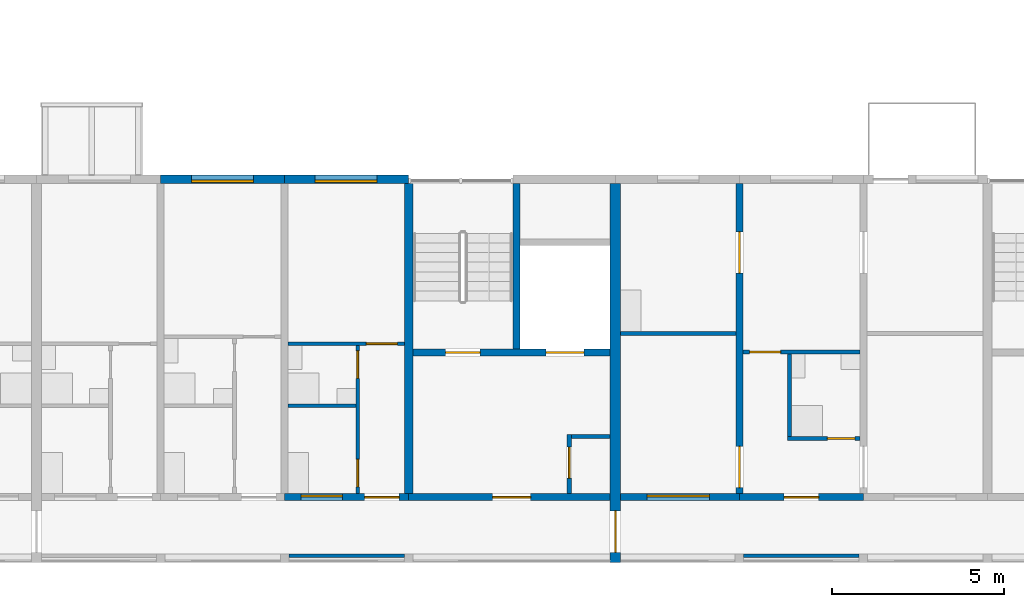
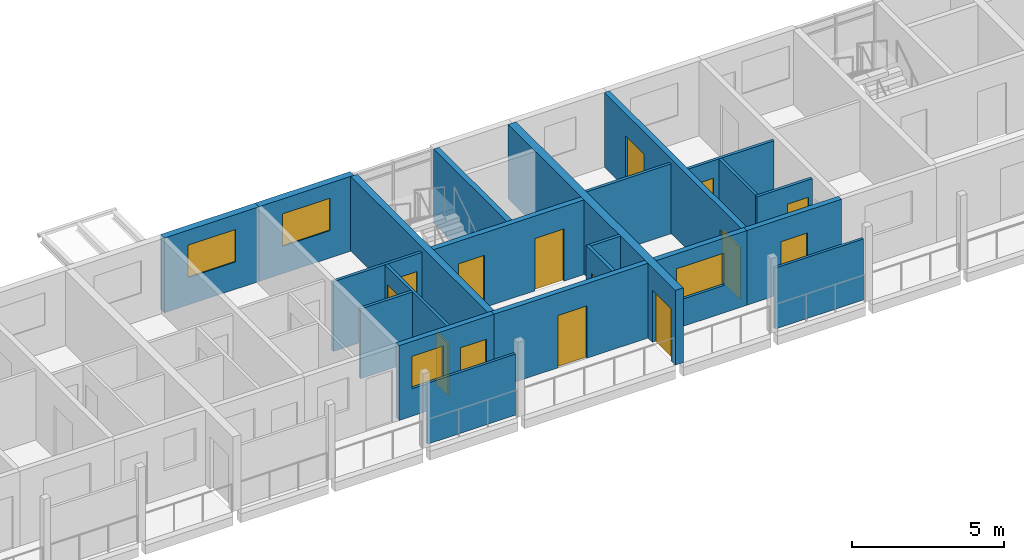
# One storey, part 48 of 94: 22 walls, 14 doors, 4 windows, 18 openings.
"""IFC4 building model written with IfcOpenShell, lengths in metres."""

import ifcopenshell
import ifcopenshell.guid

model = None  # the IFC model being written
_history = None  # IfcOwnerHistory: only IFC2X3 demands one
_inside = {}  # id of a spatial element -> (the spatial element, [elements in it])
_under = {}  # id of a project, library or spatial element -> (it, [spatial elements below it])
_declared = {}  # id of a project -> (the project, [libraries it declares])
_typed = {}  # id of a type object -> (the type object, [elements of that type])
_made_of = {}  # id of a material, layer set ... -> (it, [elements and type objects made of it])


def new_model(schema):
    """Start an empty IFC model of exactly this schema.

    Asked for "IFC4X3", IfcOpenShell would pick the latest addendum, in which some entities
    have other attributes; the version numbers below select the first issue.
    IFC2X3 requires an IfcOwnerHistory on every rooted entity: one is made here for all.
    """
    global model, _history
    if schema == "IFC4X3":
        model = ifcopenshell.file(schema_version=(4, 3, 0, 0))
    else:
        model = ifcopenshell.file(schema=schema)
    _inside.clear()
    _under.clear()
    _declared.clear()
    _typed.clear()
    _made_of.clear()
    _history = None
    if model.schema == "IFC2X3":
        org = make("IfcOrganization", Name="unknown")
        user = make(
            "IfcPersonAndOrganization",
            ThePerson=make("IfcPerson", FamilyName="unknown"),
            TheOrganization=org,
        )
        app = make(
            "IfcApplication",
            ApplicationDeveloper=org,
            Version="unknown",
            ApplicationFullName="unknown",
            ApplicationIdentifier="unknown",
        )
        _history = make(
            "IfcOwnerHistory",
            OwningUser=user,
            OwningApplication=app,
            ChangeAction="ADDED",
            CreationDate=0,
        )
    return model


def make(cls, **values):
    """One entity of the class cls with the attributes given. An attribute that is None is left unset."""
    return model.create_entity(
        cls, **{name: value for name, value in values.items() if value is not None}
    )


def rooted(cls, **values):
    """An entity with a GlobalId (a new one), such as an element, a storey or a relation."""
    return make(cls, GlobalId=ifcopenshell.guid.new(), OwnerHistory=_history, **values)


def si_unit(unit_type, name, prefix=None):
    """IfcSIUnit, for example si_unit("LENGTHUNIT", "METRE", prefix="MILLI")."""
    return make("IfcSIUnit", UnitType=unit_type, Prefix=prefix, Name=name)


def assignment(units):
    """IfcUnitAssignment: the units of a project."""
    return None if units is None else make("IfcUnitAssignment", Units=units)


def point(xyz):
    """IfcCartesianPoint."""
    return None if xyz is None else make("IfcCartesianPoint", Coordinates=xyz)


def direction(xyz):
    """IfcDirection."""
    return None if xyz is None else make("IfcDirection", DirectionRatios=xyz)


def frame(location, z_axis=None, x_axis=None):
    """IfcAxis2Placement3D, a coordinate frame: its origin and axes. An axis left out is left unset."""
    return make(
        "IfcAxis2Placement3D",
        Location=point(location),
        Axis=direction(z_axis),
        RefDirection=direction(x_axis),
    )


def frame_2d(location, x_axis=None):
    """IfcAxis2Placement2D, a coordinate frame in the plane: its origin and x axis."""
    return make(
        "IfcAxis2Placement2D", Location=point(location), RefDirection=direction(x_axis)
    )


def origin():
    """The frame at (0, 0, 0) with its axes left unset."""
    return frame((0.0, 0.0, 0.0))


def place(relative_to, where):
    """IfcLocalPlacement: puts the frame where relative to a parent placement (None: the world)."""
    return make(
        "IfcLocalPlacement", PlacementRelTo=relative_to, RelativePlacement=where
    )


def context(
    kind, dimensions, precision=None, world=None, true_north=None, identifier=None
):
    """IfcGeometricRepresentationContext, for example the 3D "Model" context."""
    return make(
        "IfcGeometricRepresentationContext",
        ContextIdentifier=identifier,
        ContextType=kind,
        CoordinateSpaceDimension=dimensions,
        Precision=precision,
        WorldCoordinateSystem=world,
        TrueNorth=true_north,
    )


def subcontext(parent, identifier, kind, view, scale=None):
    """IfcGeometricRepresentationSubContext, for example "Body" below "Model"."""
    return make(
        "IfcGeometricRepresentationSubContext",
        ContextIdentifier=identifier,
        ContextType=kind,
        ParentContext=parent,
        TargetScale=scale,
        TargetView=view,
    )


def project(units=None, contexts=None):
    """IfcProject with its units and contexts."""
    return rooted(
        "IfcProject",
        Name="project",
        RepresentationContexts=contexts,
        UnitsInContext=assignment(units),
    )


def spatial(cls, under=None, at=None, **own):
    """A site, building, storey or space (cls), placed at a placement, below another one or the project."""
    s = rooted(cls, ObjectPlacement=at, **own)
    if under is not None:
        _under.setdefault(under.id(), (under, []))[1].append(s)
    return s


def profile(cls, at=None, kind="AREA", **sizes):
    """A parametric profile (cls). Its sizes go by their IFC names, for example OverallWidth=200.0."""
    return make(cls, ProfileType=kind, Position=at, **sizes)


def rectangle(**sizes):
    """IfcRectangleProfileDef."""
    return profile("IfcRectangleProfileDef", **sizes)


def extrude(swept, where, along, depth):
    """IfcExtrudedAreaSolid: the profile swept, set in the frame where, extruded along a direction by depth."""
    return make(
        "IfcExtrudedAreaSolid",
        SweptArea=swept,
        Position=where,
        ExtrudedDirection=direction(along),
        Depth=depth,
    )


def shape(context_of_items, identifier, shape_type, items):
    """IfcShapeRepresentation: the items that make up one representation, for example the "Body"."""
    return make(
        "IfcShapeRepresentation",
        ContextOfItems=context_of_items,
        RepresentationIdentifier=identifier,
        RepresentationType=shape_type,
        Items=items,
    )


def material(Name=None, Category=None):
    """IfcMaterial."""
    return make("IfcMaterial", Name=Name, Category=Category)


def layer(
    of_material, thickness, ventilated=None, Name=None, Category=None, Priority=None
):
    """IfcMaterialLayer: one layer of a wall or slab, of a material (None: an air gap)."""
    return make(
        "IfcMaterialLayer",
        Material=of_material,
        LayerThickness=thickness,
        IsVentilated=ventilated,
        Name=Name,
        Category=Category,
        Priority=Priority,
    )


def layer_set(layers, Name=None):
    """IfcMaterialLayerSet."""
    return make("IfcMaterialLayerSet", MaterialLayers=layers, LayerSetName=Name)


def made_of(thing, what):
    """Note that an element or type object is made of a material, layer set ...; save() writes the relation."""
    if what is not None:
        _made_of.setdefault(what.id(), (what, []))[1].append(thing)
    return thing


def type_object(cls, material=None, **own):
    """A type object (cls), such as IfcWallType, which elements share."""
    return made_of(rooted(cls, **own), material)


def element(
    cls,
    number,
    at=None,
    inside=None,
    cuts=None,
    type_object=None,
    material=None,
    context=None,
    identifier="Body",
    shape_type=None,
    held_by="IfcProductDefinitionShape",
    body=None,
    shapes=None,
    **own,
):
    """One element of the class cls, such as IfcWall. Its Tag is "e" and its number.

    at: its placement. inside: the storey or other place that contains it. cuts: it is an
    opening in that element (IfcRelVoidsElement). A single representation is given by context,
    identifier, shape_type and body (its items); several are given by shapes. held_by: the class
    of the entity that holds the representations. save() writes the other relations.
    """
    e = rooted(cls, Tag="e%d" % number, ObjectPlacement=at, **own)
    if body is not None:
        shapes = [shape(context, identifier, shape_type, body)]
    if shapes is not None:
        e.Representation = make(held_by, Representations=shapes)
    if inside is not None:
        _inside.setdefault(inside.id(), (inside, []))[1].append(e)
    if cuts is not None:
        rooted(
            "IfcRelVoidsElement", RelatingBuildingElement=cuts, RelatedOpeningElement=e
        )
    if type_object is not None:
        _typed.setdefault(type_object.id(), (type_object, []))[1].append(e)
    return made_of(e, material)


def fill(opening, filler):
    """IfcRelFillsElement: the door or window that sits in an opening."""
    return rooted(
        "IfcRelFillsElement",
        RelatingOpeningElement=opening,
        RelatedBuildingElement=filler,
    )


def aggregate(whole, parts):
    """IfcRelAggregates: a whole, such as a stair, and the parts it consists of."""
    return rooted("IfcRelAggregates", RelatingObject=whole, RelatedObjects=parts)


def save(model, path):
    """Write the relations noted so far, then the file.

    IfcRelAggregates (storeys below a building ...), IfcRelContainedInSpatialStructure (elements
    in a storey), IfcRelDefinesByType, IfcRelAssociatesMaterial and IfcRelDeclares: one each for
    every whole, place, type object, material and project.
    """
    for whole, parts in _under.values():
        aggregate(whole, parts)
    for where, things in _inside.values():
        rooted(
            "IfcRelContainedInSpatialStructure",
            RelatedElements=things,
            RelatingStructure=where,
        )
    for kind, things in _typed.values():
        rooted("IfcRelDefinesByType", RelatedObjects=things, RelatingType=kind)
    for what, things in _made_of.values():
        rooted("IfcRelAssociatesMaterial", RelatedObjects=things, RelatingMaterial=what)
    for by, libraries in _declared.values():
        rooted("IfcRelDeclares", RelatingContext=by, RelatedDefinitions=libraries)
    model.write(path)


model = new_model("IFC4")

# Units and contexts
model_context = context("Model", 3, precision=1e-05, world=origin(), true_north=direction((0.0, 1.0)))
body_context = subcontext(model_context, "Body", "Model", "MODEL_VIEW")
ifc_project = project(units=[si_unit("LENGTHUNIT", "METRE"), si_unit("AREAUNIT", "SQUARE_METRE"), si_unit("VOLUMEUNIT", "CUBIC_METRE"), si_unit("PLANEANGLEUNIT", "RADIAN"), si_unit("MASSUNIT", "GRAM", prefix="KILO")], contexts=[model_context])

# Site, building, storey
site_placement = place(None, origin())
site = spatial("IfcSite", under=ifc_project, at=site_placement, CompositionType="ELEMENT")
building_placement = place(site_placement, origin())
building = spatial("IfcBuilding", under=site, at=building_placement, Name="Ridgestep Commons", CompositionType="ELEMENT")
storey_placement = place(building_placement, frame((0.0, 0.0, 24.0)))
storey = spatial("IfcBuildingStorey", under=building, at=storey_placement, Name="L08", CompositionType="ELEMENT", Elevation=24.0)

# Wall
ifc_material_1 = material(Name="Concrete C30/37", Category="concrete")
ifc_layer_1 = layer(ifc_material_1, 0.25)
ifc_layer_set_1 = layer_set([ifc_layer_1], Name="Core cross wall 250")
wall_type_1 = type_object("IfcWallType", Name="Core cross wall 250", PredefinedType="SHEAR", material=ifc_layer_set_1)
wall_1_placement = place(storey_placement, frame((191.199951171875, 13.75, 0.0), z_axis=(0.0, 0.0, 1.0), x_axis=(0.0, 1.0, 0.0)))
element("IfcWall", 1, at=wall_1_placement, inside=storey, type_object=wall_type_1, Name="Cross wall D-08-1912", PredefinedType="SHEAR", context=body_context, shape_type="SweptSolid", body=[
    extrude(rectangle(XDim=9.0, YDim=0.25, at=frame_2d((4.5, 0.0))), origin(), (0.0, 0.0, 1.0), 3.0),
])

# Wall, opening, door
ifc_material_2 = material(Name="Concrete C30/37", Category="concrete")
ifc_layer_2 = layer(ifc_material_2, 0.199951171875)
ifc_layer_set_2 = layer_set([ifc_layer_2], Name="Core south wall 200")
wall_type_2 = type_object("IfcWallType", Name="Core south wall 200", PredefinedType="SHEAR", material=ifc_layer_set_2)
wall_2_placement = place(storey_placement, frame((191.199951171875, 13.64990234375, 0.0), z_axis=(0.0, 0.0, 1.0), x_axis=(1.0, 0.0, 0.0)))
wall_2 = element("IfcWall", 2, at=wall_2_placement, inside=storey, type_object=wall_type_2, Name="Core south wall D3C L08", PredefinedType="SHEAR", context=body_context, shape_type="SweptSolid", body=[
    extrude(rectangle(XDim=5.85009765625, YDim=0.199951171875, at=frame_2d((2.925048828125, 0.0))), origin(), (0.0, 0.0, 1.0), 3.0),
])
opening_1_placement = place(wall_2_placement, frame((2.4375, 0.0, 0.0)))
opening_1 = element("IfcOpeningElement", 3, at=opening_1_placement, cuts=wall_2, Name="Opening D3C/08/1", PredefinedType="OPENING", context=body_context, shape_type="SweptSolid", body=[
    extrude(rectangle(XDim=1.10009765625, YDim=2.10009765625, at=frame_2d((0.550048828125, 1.050048828125))), frame((0.0, 0.10986328125, 0.0), z_axis=(0.0, -1.0, 0.0), x_axis=(1.0, 0.0, 0.0)), (0.0, 0.0, 1.0), 0.219970703125),
])
ifc_material_3 = material(Name="Steel fire door", Category="steel")
door_type_1 = type_object("IfcDoorType", Name="Lobby door 1100 x 2100 FD60", OperationType="NOTDEFINED", PredefinedType="DOOR", material=ifc_material_3)
door_1_placement = place(opening_1_placement, origin())
door_1 = element("IfcDoor", 4, at=door_1_placement, inside=storey, type_object=door_type_1, Name="Lobby door D3C/08/1", OperationType="SINGLE_SWING_LEFT", OverallHeight=2.10009765625, OverallWidth=1.10009765625, PredefinedType="DOOR", context=body_context, shape_type="SweptSolid", body=[
    extrude(rectangle(XDim=1.10009765625, YDim=2.10009765625, at=frame_2d((0.550048828125, 1.050048828125))), frame((0.0, 0.02490234375, 0.0), z_axis=(0.0, -1.0, 0.0), x_axis=(1.0, 0.0, 0.0)), (0.0, 0.0, 1.0), 0.050048828125),
])
fill(opening_1, door_1)

ifc_material_4 = material(Name="Concrete C30/37", Category="concrete")
ifc_layer_3 = layer(ifc_material_4, 0.1201171875)
ifc_layer_set_3 = layer_set([ifc_layer_3], Name="Core wall 120")
wall_type_3 = type_object("IfcWallType", Name="Core wall 120", PredefinedType="SHEAR", material=ifc_layer_set_3)
wall_3_placement = place(storey_placement, frame((195.860107421875, 13.75, 0.0), z_axis=(0.0, 0.0, 1.0), x_axis=(0.0, 1.0, 0.0)))
wall_3 = element("IfcWall", 5, at=wall_3_placement, inside=storey, type_object=wall_type_3, Name="Core riser w wall D3C L08", PredefinedType="SHEAR", context=body_context, shape_type="SweptSolid", body=[
    extrude(rectangle(XDim=1.719970703125, YDim=0.1201171875, at=frame_2d((0.85986328125, 0.0))), origin(), (0.0, 0.0, 1.0), 3.0),
])
opening_2_placement = place(wall_3_placement, frame((0.449951171875, 0.0, 0.0)))
opening_2 = element("IfcOpeningElement", 6, at=opening_2_placement, cuts=wall_3, Name="Opening D3C/08/4", PredefinedType="OPENING", context=body_context, shape_type="SweptSolid", body=[
    extrude(rectangle(XDim=0.89990234375, YDim=2.10009765625, at=frame_2d((0.449951171875, 1.050048828125))), frame((0.0, 0.070068359375, 0.0), z_axis=(0.0, -1.0, 0.0), x_axis=(1.0, 0.0, 0.0)), (0.0, 0.0, 1.0), 0.14013671875),
])
ifc_material_5 = material(Name="Steel fire door", Category="steel")
door_type_2 = type_object("IfcDoorType", Name="Riser door 900 x 2100 FD60", OperationType="NOTDEFINED", PredefinedType="DOOR", material=ifc_material_5)
door_2_placement = place(opening_2_placement, origin())
door_2 = element("IfcDoor", 7, at=door_2_placement, inside=storey, type_object=door_type_2, Name="Riser door D3C/08/4", OperationType="SINGLE_SWING_LEFT", OverallHeight=2.10009765625, OverallWidth=0.89990234375, PredefinedType="DOOR", context=body_context, shape_type="SweptSolid", body=[
    extrude(rectangle(XDim=0.89990234375, YDim=2.10009765625, at=frame_2d((0.449951171875, 1.050048828125))), frame((0.0, 0.02490234375, 0.0), z_axis=(0.0, -1.0, 0.0), x_axis=(1.0, 0.0, 0.0)), (0.0, 0.0, 1.0), 0.050048828125),
])
fill(opening_2, door_2)

# Wall
wall_4_placement = place(storey_placement, frame((195.919921875, 15.409912109375, 0.0), z_axis=(0.0, 0.0, 1.0), x_axis=(1.0, 0.0, 0.0)))
element("IfcWall", 8, at=wall_4_placement, inside=storey, type_object=wall_type_3, Name="Core riser n wall D3C L08", PredefinedType="SHEAR", context=body_context, shape_type="SweptSolid", body=[
    extrude(rectangle(XDim=1.130126953125, YDim=0.1201171875, at=frame_2d((0.56494140625, 0.0))), origin(), (0.0, 0.0, 1.0), 3.0),
])

# Wall, openings, doors
ifc_material_6 = material(Name="Concrete C30/37", Category="concrete")
ifc_layer_4 = layer(ifc_material_6, 0.199951171875)
ifc_layer_set_4 = layer_set([ifc_layer_4], Name="Core wall 200")
wall_type_4 = type_object("IfcWallType", Name="Core wall 200", PredefinedType="SHEAR", material=ifc_layer_set_4)
wall_5_placement = place(storey_placement, frame((191.324951171875, 17.85009765625, 0.0), z_axis=(0.0, 0.0, 1.0), x_axis=(1.0, 0.0, 0.0)))
wall_5 = element("IfcWall", 9, at=wall_5_placement, inside=storey, type_object=wall_type_4, Name="Core lobby wall D3C L08", PredefinedType="SHEAR", context=body_context, shape_type="SweptSolid", body=[
    extrude(rectangle(XDim=5.72509765625, YDim=0.199951171875, at=frame_2d((2.862548828125, 0.0))), origin(), (0.0, 0.0, 1.0), 3.0),
])
opening_3_placement = place(wall_5_placement, frame((0.949951171875, 0.0, 0.0)))
opening_3 = element("IfcOpeningElement", 10, at=opening_3_placement, cuts=wall_5, Name="Opening D3C/08/2", PredefinedType="OPENING", context=body_context, shape_type="SweptSolid", body=[
    extrude(rectangle(XDim=1.0, YDim=2.10009765625, at=frame_2d((0.5, 1.050048828125))), frame((0.0, 0.10986328125, 0.0), z_axis=(0.0, -1.0, 0.0), x_axis=(1.0, 0.0, 0.0)), (0.0, 0.0, 1.0), 0.219970703125),
])
opening_4_placement = place(wall_5_placement, frame((3.862548828125, 0.0, 0.0)))
opening_4 = element("IfcOpeningElement", 11, at=opening_4_placement, cuts=wall_5, Name="Opening D3C/08/3", PredefinedType="OPENING", context=body_context, shape_type="SweptSolid", body=[
    extrude(rectangle(XDim=1.10009765625, YDim=2.10009765625, at=frame_2d((0.550048828125, 1.050048828125))), frame((0.0, 0.10986328125, 0.0), z_axis=(0.0, -1.0, 0.0), x_axis=(1.0, 0.0, 0.0)), (0.0, 0.0, 1.0), 0.219970703125),
])
ifc_material_7 = material(Name="Stainless steel", Category="steel")
door_type_3 = type_object("IfcDoorType", Name="Lift landing door 1100 x 2100 FD60", OperationType="DOUBLE_DOOR_SLIDING", PredefinedType="DOOR", material=ifc_material_7)
door_3_placement = place(opening_4_placement, origin())
door_3 = element("IfcDoor", 12, at=door_3_placement, inside=storey, type_object=door_type_3, Name="Landing door LD D3C L08", OperationType="DOUBLE_DOOR_SLIDING", OverallHeight=2.10009765625, OverallWidth=1.10009765625, PredefinedType="DOOR", context=body_context, shape_type="SweptSolid", body=[
    extrude(rectangle(XDim=1.10009765625, YDim=2.10009765625, at=frame_2d((0.550048828125, 1.050048828125))), frame((0.0, 0.02490234375, 0.0), z_axis=(0.0, -1.0, 0.0), x_axis=(1.0, 0.0, 0.0)), (0.0, 0.0, 1.0), 0.050048828125),
])
fill(opening_4, door_3)
ifc_material_8 = material(Name="Steel fire door", Category="steel")
door_type_4 = type_object("IfcDoorType", Name="Stair door 1000 x 2100 FD60", OperationType="NOTDEFINED", PredefinedType="DOOR", material=ifc_material_8)
door_4_placement = place(opening_3_placement, origin())
door_4 = element("IfcDoor", 13, at=door_4_placement, inside=storey, type_object=door_type_4, Name="Stair door D3C/08/2", OperationType="SINGLE_SWING_RIGHT", OverallHeight=2.10009765625, OverallWidth=1.0, PredefinedType="DOOR", context=body_context, shape_type="SweptSolid", body=[
    extrude(rectangle(XDim=1.0, YDim=2.10009765625, at=frame_2d((0.5, 1.050048828125))), frame((0.0, 0.02490234375, 0.0), z_axis=(0.0, -1.0, 0.0), x_axis=(1.0, 0.0, 0.0)), (0.0, 0.0, 1.0), 0.050048828125),
])
fill(opening_3, door_4)

# Wall
wall_6_placement = place(storey_placement, frame((194.324951171875, 17.949951171875, 0.0), z_axis=(0.0, 0.0, 1.0), x_axis=(0.0, 1.0, 0.0)))
element("IfcWall", 14, at=wall_6_placement, inside=storey, type_object=wall_type_4, Name="Core stair wall D3C L08", PredefinedType="SHEAR", context=body_context, shape_type="SweptSolid", body=[
    extrude(rectangle(XDim=4.800048828125, YDim=0.199951171875, at=frame_2d((2.39990234375, 0.0))), origin(), (0.0, 0.0, 1.0), 3.0),
])

# Wall, openings, doors
ifc_material_9 = material(Name="Precast concrete C40/50", Category="concrete")
ifc_layer_5 = layer(ifc_material_9, 0.199951171875)
ifc_layer_set_5 = layer_set([ifc_layer_5], Name="Cross wall 200")
wall_type_5 = type_object("IfcWallType", Name="Cross wall 200", PredefinedType="SHEAR", material=ifc_layer_set_5)
wall_7_placement = place(storey_placement, frame((200.800048828125, 13.75, 0.0), z_axis=(0.0, 0.0, 1.0), x_axis=(0.0, 1.0, 0.0)))
wall_7 = element("IfcWall", 15, at=wall_7_placement, inside=storey, type_object=wall_type_5, Name="Cross wall D-08-2008", PredefinedType="SHEAR", context=body_context, shape_type="SweptSolid", body=[
    extrude(rectangle(XDim=9.0, YDim=0.199951171875, at=frame_2d((4.5, 0.0))), origin(), (0.0, 0.0, 1.0), 3.0),
])
opening_5_placement = place(wall_7_placement, frame((0.175048828125, 0.0, 0.0)))
opening_5 = element("IfcOpeningElement", 16, at=opening_5_placement, cuts=wall_7, Name="Opening D4-08a/4", PredefinedType="OPENING", context=body_context, shape_type="SweptSolid", body=[
    extrude(rectangle(XDim=1.199951171875, YDim=2.10009765625, at=frame_2d((0.60009765625, 1.050048828125))), frame((0.0, 0.10986328125, 0.0), z_axis=(0.0, -1.0, 0.0), x_axis=(1.0, 0.0, 0.0)), (0.0, 0.0, 1.0), 0.219970703125),
])
opening_6_placement = place(wall_7_placement, frame((6.39990234375, 0.0, 0.0)))
opening_6 = element("IfcOpeningElement", 17, at=opening_6_placement, cuts=wall_7, Name="Opening D4-08a/5", PredefinedType="OPENING", context=body_context, shape_type="SweptSolid", body=[
    extrude(rectangle(XDim=1.199951171875, YDim=2.10009765625, at=frame_2d((0.60009765625, 1.050048828125))), frame((0.0, 0.10986328125, 0.0), z_axis=(0.0, -1.0, 0.0), x_axis=(1.0, 0.0, 0.0)), (0.0, 0.0, 1.0), 0.219970703125),
])
ifc_material_10 = material(Name="Timber door leaf", Category="wood")
door_type_5 = type_object("IfcDoorType", Name="Double door 1200 x 2100", OperationType="DOUBLE_DOOR_SINGLE_SWING", PredefinedType="DOOR", material=ifc_material_10)
door_5_placement = place(opening_5_placement, origin())
door_5 = element("IfcDoor", 18, at=door_5_placement, inside=storey, type_object=door_type_5, Name="Double door D4-08a/4", OperationType="DOUBLE_DOOR_SINGLE_SWING", OverallHeight=2.10009765625, OverallWidth=1.199951171875, PredefinedType="DOOR", context=body_context, shape_type="SweptSolid", body=[
    extrude(rectangle(XDim=1.199951171875, YDim=2.10009765625, at=frame_2d((0.60009765625, 1.050048828125))), frame((0.0, 0.02490234375, 0.0), z_axis=(0.0, -1.0, 0.0), x_axis=(1.0, 0.0, 0.0)), (0.0, 0.0, 1.0), 0.050048828125),
])
fill(opening_5, door_5)
door_6_placement = place(opening_6_placement, origin())
door_6 = element("IfcDoor", 19, at=door_6_placement, inside=storey, type_object=door_type_5, Name="Double door D4-08a/5", OperationType="DOUBLE_DOOR_SINGLE_SWING", OverallHeight=2.10009765625, OverallWidth=1.199951171875, PredefinedType="DOOR", context=body_context, shape_type="SweptSolid", body=[
    extrude(rectangle(XDim=1.199951171875, YDim=2.10009765625, at=frame_2d((0.60009765625, 1.050048828125))), frame((0.0, 0.02490234375, 0.0), z_axis=(0.0, -1.0, 0.0), x_axis=(1.0, 0.0, 0.0)), (0.0, 0.0, 1.0), 0.050048828125),
])
fill(opening_6, door_6)

# Wall, opening, door
ifc_material_11 = material(Name="Precast concrete C40/50", Category="concrete")
ifc_layer_6 = layer(ifc_material_11, 0.300048828125)
ifc_layer_set_6 = layer_set([ifc_layer_6], Name="Division wall 300")
wall_type_6 = type_object("IfcWallType", Name="Division wall 300", PredefinedType="SHEAR", material=ifc_layer_set_6)
wall_8_placement = place(storey_placement, frame((197.199951171875, 11.75, 0.0), z_axis=(0.0, 0.0, 1.0), x_axis=(0.0, 1.0, 0.0)))
wall_8 = element("IfcWall", 20, at=wall_8_placement, inside=storey, type_object=wall_type_6, Name="Cross wall D-08-1972", PredefinedType="SHEAR", context=body_context, shape_type="SweptSolid", body=[
    extrude(rectangle(XDim=11.0, YDim=0.300048828125, at=frame_2d((5.5, 0.0))), origin(), (0.0, 0.0, 1.0), 3.0),
])
opening_7_placement = place(wall_8_placement, frame((0.300048828125, 0.0, 0.0)))
opening_7 = element("IfcOpeningElement", 21, at=opening_7_placement, cuts=wall_8, Name="Opening D/08/G1972", PredefinedType="OPENING", context=body_context, shape_type="SweptSolid", body=[
    extrude(rectangle(XDim=1.199951171875, YDim=2.10009765625, at=frame_2d((0.60009765625, 1.050048828125))), frame((0.0, 0.159912109375, 0.0), z_axis=(0.0, -1.0, 0.0), x_axis=(1.0, 0.0, 0.0)), (0.0, 0.0, 1.0), 0.320068359375),
])
ifc_material_12 = material(Name="Steel fire door", Category="steel")
door_type_6 = type_object("IfcDoorType", Name="Division fire door 1200 x 2100 EI 240", OperationType="DOUBLE_DOOR_SINGLE_SWING", PredefinedType="DOOR", material=ifc_material_12)
door_7_placement = place(opening_7_placement, origin())
door_7 = element("IfcDoor", 22, at=door_7_placement, inside=storey, type_object=door_type_6, Name="Division fire door D/08/G1972", OperationType="DOUBLE_DOOR_SINGLE_SWING", OverallHeight=2.10009765625, OverallWidth=1.199951171875, PredefinedType="DOOR", context=body_context, shape_type="SweptSolid", body=[
    extrude(rectangle(XDim=1.199951171875, YDim=2.10009765625, at=frame_2d((0.60009765625, 1.050048828125))), frame((0.0, 0.02490234375, 0.0), z_axis=(0.0, -1.0, 0.0), x_axis=(1.0, 0.0, 0.0)), (0.0, 0.0, 1.0), 0.050048828125),
])
fill(opening_7, door_7)

# Wall, opening, window
ifc_material_13 = material(Name="Precast concrete C40/50", Category="concrete")
ifc_layer_7 = layer(ifc_material_13, 0.25)
ifc_layer_set_7 = layer_set([ifc_layer_7], Name="North facade panel 250")
wall_type_7 = type_object("IfcWallType", Name="North facade panel 250", PredefinedType="SOLIDWALL", material=ifc_layer_set_7)
wall_9_placement = place(storey_placement, frame((184.0, 22.875, 0.0), z_axis=(0.0, 0.0, 1.0), x_axis=(1.0, 0.0, 0.0)))
wall_9 = element("IfcWall", 23, at=wall_9_placement, inside=storey, type_object=wall_type_7, Name="North panel D3T2 L08", PredefinedType="SOLIDWALL", context=body_context, shape_type="SweptSolid", body=[
    extrude(rectangle(XDim=3.60009765625, YDim=0.25, at=frame_2d((1.800048828125, 0.0))), origin(), (0.0, 0.0, 1.0), 3.0),
])
opening_8_placement = place(wall_9_placement, frame((0.89990234375, 0.0, 1.10009765625)))
opening_8 = element("IfcOpeningElement", 24, at=opening_8_placement, cuts=wall_9, Name="Opening W18", PredefinedType="OPENING", context=body_context, shape_type="SweptSolid", body=[
    extrude(rectangle(XDim=1.800048828125, YDim=1.300048828125, at=frame_2d((0.89990234375, 0.64990234375))), frame((0.0, 0.135009765625, 0.0), z_axis=(0.0, -1.0, 0.0), x_axis=(1.0, 0.0, 0.0)), (0.0, 0.0, 1.0), 0.27001953125),
])
ifc_material_14 = material(Name="Aluminium 6063-T6 and glass", Category="aluminium")
window_type_1 = type_object("IfcWindowType", Name="Flat window 1800 x 1300", PartitioningType="DOUBLE_PANEL_VERTICAL", PredefinedType="WINDOW", material=ifc_material_14)
window_1_placement = place(opening_8_placement, origin())
window_1 = element("IfcWindow", 25, at=window_1_placement, inside=storey, type_object=window_type_1, Name="Window D3-08b 2", OverallHeight=1.300048828125, OverallWidth=1.800048828125, PartitioningType="SINGLE_PANEL", PredefinedType="WINDOW", context=body_context, shape_type="SweptSolid", body=[
    extrude(rectangle(XDim=1.800048828125, YDim=1.300048828125, at=frame_2d((0.89990234375, 0.64990234375))), frame((0.0, -0.02490234375, 0.0), z_axis=(0.0, -1.0, 0.0), x_axis=(1.0, 0.0, 0.0)), (0.0, 0.0, 1.0), 0.06005859375),
])
fill(opening_8, window_1)

wall_10_placement = place(storey_placement, frame((187.60009765625, 22.875, 0.0), z_axis=(0.0, 0.0, 1.0), x_axis=(1.0, 0.0, 0.0)))
wall_10 = element("IfcWall", 26, at=wall_10_placement, inside=storey, type_object=wall_type_7, Name="North panel D3T3 L08", PredefinedType="SOLIDWALL", context=body_context, shape_type="SweptSolid", body=[
    extrude(rectangle(XDim=3.599853515625, YDim=0.25, at=frame_2d((1.7998046875, 0.0))), origin(), (0.0, 0.0, 1.0), 3.0),
])
opening_9_placement = place(wall_10_placement, frame((0.887451171875, 0.0, 1.10009765625)))
opening_9 = element("IfcOpeningElement", 27, at=opening_9_placement, cuts=wall_10, Name="Opening W18", PredefinedType="OPENING", context=body_context, shape_type="SweptSolid", body=[
    extrude(rectangle(XDim=1.800048828125, YDim=1.300048828125, at=frame_2d((0.89990234375, 0.64990234375))), frame((0.0, 0.135009765625, 0.0), z_axis=(0.0, -1.0, 0.0), x_axis=(1.0, 0.0, 0.0)), (0.0, 0.0, 1.0), 0.27001953125),
])
window_2_placement = place(opening_9_placement, origin())
window_2 = element("IfcWindow", 28, at=window_2_placement, inside=storey, type_object=window_type_1, Name="Window D3-08c 2", OverallHeight=1.300048828125, OverallWidth=1.800048828125, PartitioningType="SINGLE_PANEL", PredefinedType="WINDOW", context=body_context, shape_type="SweptSolid", body=[
    extrude(rectangle(XDim=1.800048828125, YDim=1.300048828125, at=frame_2d((0.89990234375, 0.64990234375))), frame((0.0, -0.02490234375, 0.0), z_axis=(0.0, -1.0, 0.0), x_axis=(1.0, 0.0, 0.0)), (0.0, 0.0, 1.0), 0.06005859375),
])
fill(opening_9, window_2)

# Wall
ifc_material_15 = material(Name="Common brick 110 mm", Category="masonry")
ifc_layer_8 = layer(ifc_material_15, 0.110107421875)
ifc_layer_set_8 = layer_set([ifc_layer_8], Name="Partition 110")
wall_type_8 = type_object("IfcWallType", Name="Partition 110", PredefinedType="PARTITIONING", material=ifc_layer_set_8)
wall_11_placement = place(storey_placement, frame((187.699951171875, 16.304931640625, 0.0), z_axis=(0.0, 0.0, 1.0), x_axis=(1.0, 0.0, 0.0)))
element("IfcWall", 29, at=wall_11_placement, inside=storey, type_object=wall_type_8, Name="Partition D3-08c", PredefinedType="PARTITIONING", context=body_context, shape_type="SweptSolid", body=[
    extrude(rectangle(XDim=1.965087890625, YDim=0.110107421875, at=frame_2d((0.982421875, 0.0))), origin(), (0.0, 0.0, 1.0), 2.800048828125),
])

# Wall, openings, doors
wall_12_placement = place(storey_placement, frame((189.719970703125, 13.75, 0.0), z_axis=(0.0, 0.0, 1.0), x_axis=(0.0, 1.0, 0.0)))
wall_12 = element("IfcWall", 30, at=wall_12_placement, inside=storey, type_object=wall_type_8, Name="Partition D3-08c", PredefinedType="PARTITIONING", context=body_context, shape_type="SweptSolid", body=[
    extrude(rectangle(XDim=4.300048828125, YDim=0.110107421875, at=frame_2d((2.14990234375, 0.0))), origin(), (0.0, 0.0, 1.0), 2.800048828125),
])
opening_10_placement = place(wall_12_placement, frame((0.199951171875, 0.0, 0.0)))
opening_10 = element("IfcOpeningElement", 31, at=opening_10_placement, cuts=wall_12, Name="Opening D3-08c/2", PredefinedType="OPENING", context=body_context, shape_type="SweptSolid", body=[
    extrude(rectangle(XDim=0.800048828125, YDim=2.10009765625, at=frame_2d((0.39990234375, 1.050048828125))), frame((0.0, 0.06494140625, 0.0), z_axis=(0.0, -1.0, 0.0), x_axis=(1.0, 0.0, 0.0)), (0.0, 0.0, 1.0), 0.130126953125),
])
opening_11_placement = place(wall_12_placement, frame((3.35009765625, 0.0, 0.0)))
opening_11 = element("IfcOpeningElement", 32, at=opening_11_placement, cuts=wall_12, Name="Opening D3-08c/3", PredefinedType="OPENING", context=body_context, shape_type="SweptSolid", body=[
    extrude(rectangle(XDim=0.800048828125, YDim=2.10009765625, at=frame_2d((0.39990234375, 1.050048828125))), frame((0.0, 0.06494140625, 0.0), z_axis=(0.0, -1.0, 0.0), x_axis=(1.0, 0.0, 0.0)), (0.0, 0.0, 1.0), 0.130126953125),
])
ifc_material_16 = material(Name="Timber door leaf", Category="wood")
door_type_7 = type_object("IfcDoorType", Name="Internal door 800 x 2100", OperationType="NOTDEFINED", PredefinedType="DOOR", material=ifc_material_16)
door_8_placement = place(opening_10_placement, origin())
door_8 = element("IfcDoor", 33, at=door_8_placement, inside=storey, type_object=door_type_7, Name="Internal door D3-08c/2", OperationType="SINGLE_SWING_LEFT", OverallHeight=2.10009765625, OverallWidth=0.800048828125, PredefinedType="DOOR", context=body_context, shape_type="SweptSolid", body=[
    extrude(rectangle(XDim=0.800048828125, YDim=2.10009765625, at=frame_2d((0.39990234375, 1.050048828125))), frame((0.0, 0.02490234375, 0.0), z_axis=(0.0, -1.0, 0.0), x_axis=(1.0, 0.0, 0.0)), (0.0, 0.0, 1.0), 0.050048828125),
])
fill(opening_10, door_8)
door_9_placement = place(opening_11_placement, origin())
door_9 = element("IfcDoor", 34, at=door_9_placement, inside=storey, type_object=door_type_7, Name="Internal door D3-08c/3", OperationType="SINGLE_SWING_RIGHT", OverallHeight=2.10009765625, OverallWidth=0.800048828125, PredefinedType="DOOR", context=body_context, shape_type="SweptSolid", body=[
    extrude(rectangle(XDim=0.800048828125, YDim=2.10009765625, at=frame_2d((0.39990234375, 1.050048828125))), frame((0.0, 0.02490234375, 0.0), z_axis=(0.0, -1.0, 0.0), x_axis=(1.0, 0.0, 0.0)), (0.0, 0.0, 1.0), 0.050048828125),
])
fill(opening_11, door_9)

# Wall, opening, door
wall_13_placement = place(storey_placement, frame((187.699951171875, 18.10498046875, 0.0), z_axis=(0.0, 0.0, 1.0), x_axis=(1.0, 0.0, 0.0)))
wall_13 = element("IfcWall", 35, at=wall_13_placement, inside=storey, type_object=wall_type_8, Name="Partition D3-08c", PredefinedType="PARTITIONING", context=body_context, shape_type="SweptSolid", body=[
    extrude(rectangle(XDim=3.375, YDim=0.110107421875, at=frame_2d((1.6875, 0.0))), origin(), (0.0, 0.0, 1.0), 2.800048828125),
])
opening_12_placement = place(wall_13_placement, frame((2.27490234375, 0.0, 0.0)))
opening_12 = element("IfcOpeningElement", 36, at=opening_12_placement, cuts=wall_13, Name="Opening D3-08c/4", PredefinedType="OPENING", context=body_context, shape_type="SweptSolid", body=[
    extrude(rectangle(XDim=0.89990234375, YDim=2.10009765625, at=frame_2d((0.449951171875, 1.050048828125))), frame((0.0, 0.06494140625, 0.0), z_axis=(0.0, -1.0, 0.0), x_axis=(1.0, 0.0, 0.0)), (0.0, 0.0, 1.0), 0.130126953125),
])
ifc_material_17 = material(Name="Timber door leaf", Category="wood")
door_type_8 = type_object("IfcDoorType", Name="Internal door 900 x 2100", OperationType="NOTDEFINED", PredefinedType="DOOR", material=ifc_material_17)
door_10_placement = place(opening_12_placement, origin())
door_10 = element("IfcDoor", 37, at=door_10_placement, inside=storey, type_object=door_type_8, Name="Internal door D3-08c/4", OperationType="SINGLE_SWING_LEFT", OverallHeight=2.10009765625, OverallWidth=0.89990234375, PredefinedType="DOOR", context=body_context, shape_type="SweptSolid", body=[
    extrude(rectangle(XDim=0.89990234375, YDim=2.10009765625, at=frame_2d((0.449951171875, 1.050048828125))), frame((0.0, 0.02490234375, 0.0), z_axis=(0.0, -1.0, 0.0), x_axis=(1.0, 0.0, 0.0)), (0.0, 0.0, 1.0), 0.050048828125),
])
fill(opening_12, door_10)

wall_14_placement = place(storey_placement, frame((202.199951171875, 15.35498046875, 0.0), z_axis=(0.0, 0.0, 1.0), x_axis=(1.0, 0.0, 0.0)))
wall_14 = element("IfcWall", 38, at=wall_14_placement, inside=storey, type_object=wall_type_8, Name="Partition D4-08a", PredefinedType="PARTITIONING", context=body_context, shape_type="SweptSolid", body=[
    extrude(rectangle(XDim=2.10009765625, YDim=0.110107421875, at=frame_2d((1.050048828125, 0.0))), origin(), (0.0, 0.0, 1.0), 2.800048828125),
])
opening_13_placement = place(wall_14_placement, frame((1.14990234375, 0.0, 0.0)))
opening_13 = element("IfcOpeningElement", 39, at=opening_13_placement, cuts=wall_14, Name="Opening D4-08a/2", PredefinedType="OPENING", context=body_context, shape_type="SweptSolid", body=[
    extrude(rectangle(XDim=0.800048828125, YDim=2.10009765625, at=frame_2d((0.39990234375, 1.050048828125))), frame((0.0, 0.06494140625, 0.0), z_axis=(0.0, -1.0, 0.0), x_axis=(1.0, 0.0, 0.0)), (0.0, 0.0, 1.0), 0.130126953125),
])
door_11_placement = place(opening_13_placement, origin())
door_11 = element("IfcDoor", 40, at=door_11_placement, inside=storey, type_object=door_type_7, Name="Internal door D4-08a/2", OperationType="SINGLE_SWING_RIGHT", OverallHeight=2.10009765625, OverallWidth=0.800048828125, PredefinedType="DOOR", context=body_context, shape_type="SweptSolid", body=[
    extrude(rectangle(XDim=0.800048828125, YDim=2.10009765625, at=frame_2d((0.39990234375, 1.050048828125))), frame((0.0, 0.02490234375, 0.0), z_axis=(0.0, -1.0, 0.0), x_axis=(1.0, 0.0, 0.0)), (0.0, 0.0, 1.0), 0.050048828125),
])
fill(opening_13, door_11)

# Wall
wall_15_placement = place(storey_placement, frame((202.2548828125, 15.409912109375, 0.0), z_axis=(0.0, 0.0, 1.0), x_axis=(0.0, 1.0, 0.0)))
element("IfcWall", 41, at=wall_15_placement, inside=storey, type_object=wall_type_8, Name="Partition D4-08a", PredefinedType="PARTITIONING", context=body_context, shape_type="SweptSolid", body=[
    extrude(rectangle(XDim=2.400146484375, YDim=0.110107421875, at=frame_2d((1.2001953125, 0.0))), origin(), (0.0, 0.0, 1.0), 2.800048828125),
])

# Wall, opening, door
wall_16_placement = place(storey_placement, frame((200.89990234375, 17.864990234375, 0.0), z_axis=(0.0, 0.0, 1.0), x_axis=(1.0, 0.0, 0.0)))
wall_16 = element("IfcWall", 42, at=wall_16_placement, inside=storey, type_object=wall_type_8, Name="Partition D4-08a", PredefinedType="PARTITIONING", context=body_context, shape_type="SweptSolid", body=[
    extrude(rectangle(XDim=3.400146484375, YDim=0.110107421875, at=frame_2d((1.7001953125, 0.0))), origin(), (0.0, 0.0, 1.0), 2.800048828125),
])
opening_14_placement = place(wall_16_placement, frame((0.199951171875, 0.0, 0.0)))
opening_14 = element("IfcOpeningElement", 43, at=opening_14_placement, cuts=wall_16, Name="Opening D4-08a/3", PredefinedType="OPENING", context=body_context, shape_type="SweptSolid", body=[
    extrude(rectangle(XDim=0.89990234375, YDim=2.10009765625, at=frame_2d((0.449951171875, 1.050048828125))), frame((0.0, 0.06494140625, 0.0), z_axis=(0.0, -1.0, 0.0), x_axis=(1.0, 0.0, 0.0)), (0.0, 0.0, 1.0), 0.130126953125),
])
door_12_placement = place(opening_14_placement, origin())
door_12 = element("IfcDoor", 44, at=door_12_placement, inside=storey, type_object=door_type_8, Name="Internal door D4-08a/3", OperationType="SINGLE_SWING_LEFT", OverallHeight=2.10009765625, OverallWidth=0.89990234375, PredefinedType="DOOR", context=body_context, shape_type="SweptSolid", body=[
    extrude(rectangle(XDim=0.89990234375, YDim=2.10009765625, at=frame_2d((0.449951171875, 1.050048828125))), frame((0.0, 0.02490234375, 0.0), z_axis=(0.0, -1.0, 0.0), x_axis=(1.0, 0.0, 0.0)), (0.0, 0.0, 1.0), 0.050048828125),
])
fill(opening_14, door_12)

# Walls
wall_17_placement = place(storey_placement, frame((197.35009765625, 18.405029296875, 0.0), z_axis=(0.0, 0.0, 1.0), x_axis=(1.0, 0.0, 0.0)))
element("IfcWall", 45, at=wall_17_placement, inside=storey, type_object=wall_type_8, Name="Partition D4-08a", PredefinedType="PARTITIONING", context=body_context, shape_type="SweptSolid", body=[
    extrude(rectangle(XDim=3.349853515625, YDim=0.110107421875, at=frame_2d((1.6748046875, 0.0))), origin(), (0.0, 0.0, 1.0), 2.800048828125),
])
ifc_material_18 = material(Name="Precast concrete C30/37", Category="concrete")
ifc_layer_9 = layer(ifc_material_18, 0.10009765625)
ifc_layer_set_9 = layer_set([ifc_layer_9], Name="Perforated gallery screen 3350 x 2450 x 100")
wall_type_9 = type_object("IfcWallType", Name="Perforated gallery screen 3350 x 2450 x 100", PredefinedType="SOLIDWALL", material=ifc_layer_set_9)
for number, where, z_axis, x_axis, name in (
    (46, (187.72509765625, 11.949951171875, 0.0), (0.0, 0.0, 1.0), (1.0, 0.0, 0.0), "Gallery screen D3T3 08"),
    (47, (200.925048828125, 11.949951171875, 0.0), (0.0, 0.0, 1.0), (1.0, 0.0, 0.0), "Gallery screen D4T2 08"),
):
    element("IfcWall", number, at=place(storey_placement, frame(where, z_axis=z_axis, x_axis=x_axis)), inside=storey, type_object=wall_type_9, Name=name, PredefinedType="SOLIDWALL", context=body_context, shape_type="SweptSolid", body=[
        extrude(rectangle(XDim=3.349853515625, YDim=0.10009765625, at=frame_2d((1.6748046875, 0.0))), origin(), (0.0, 0.0, 1.0), 2.449951171875),
    ])

# Wall, openings, door, window
ifc_material_19 = material(Name="Precast concrete C40/50", Category="concrete")
ifc_layer_10 = layer(ifc_material_19, 0.199951171875)
ifc_layer_set_10 = layer_set([ifc_layer_10], Name="South facade panel 200")
wall_type_10 = type_object("IfcWallType", Name="South facade panel 200", PredefinedType="SOLIDWALL", material=ifc_layer_set_10)
wall_18_placement = place(storey_placement, frame((187.60009765625, 13.64990234375, 0.0), z_axis=(0.0, 0.0, 1.0), x_axis=(1.0, 0.0, 0.0)))
wall_18 = element("IfcWall", 48, at=wall_18_placement, inside=storey, type_object=wall_type_10, Name="South panel D3T3 L08", PredefinedType="SOLIDWALL", context=body_context, shape_type="SweptSolid", body=[
    extrude(rectangle(XDim=3.599853515625, YDim=0.199951171875, at=frame_2d((1.7998046875, 0.0))), origin(), (0.0, 0.0, 1.0), 3.0),
])
opening_15_placement = place(wall_18_placement, frame((0.482421875, 0.0, 1.10009765625)))
opening_15 = element("IfcOpeningElement", 49, at=opening_15_placement, cuts=wall_18, Name="Opening W08", PredefinedType="OPENING", context=body_context, shape_type="SweptSolid", body=[
    extrude(rectangle(XDim=1.199951171875, YDim=1.300048828125, at=frame_2d((0.60009765625, 0.64990234375))), frame((0.0, 0.10986328125, 0.0), z_axis=(0.0, -1.0, 0.0), x_axis=(1.0, 0.0, 0.0)), (0.0, 0.0, 1.0), 0.219970703125),
])
opening_16_placement = place(wall_18_placement, frame((2.324951171875, 0.0, 0.0)))
opening_16 = element("IfcOpeningElement", 50, at=opening_16_placement, cuts=wall_18, Name="Opening D3-08c/1", PredefinedType="OPENING", context=body_context, shape_type="SweptSolid", body=[
    extrude(rectangle(XDim=1.0, YDim=2.10009765625, at=frame_2d((0.5, 1.050048828125))), frame((0.0, 0.10986328125, 0.0), z_axis=(0.0, -1.0, 0.0), x_axis=(1.0, 0.0, 0.0)), (0.0, 0.0, 1.0), 0.219970703125),
])
ifc_material_20 = material(Name="Timber door leaf", Category="wood")
door_type_9 = type_object("IfcDoorType", Name="Flat entrance door 1000 x 2100 FD30S", OperationType="NOTDEFINED", PredefinedType="DOOR", material=ifc_material_20)
door_13_placement = place(opening_16_placement, origin())
door_13 = element("IfcDoor", 51, at=door_13_placement, inside=storey, type_object=door_type_9, Name="Flat entrance door D3-08c/1", OperationType="SINGLE_SWING_RIGHT", OverallHeight=2.10009765625, OverallWidth=1.0, PredefinedType="DOOR", context=body_context, shape_type="SweptSolid", body=[
    extrude(rectangle(XDim=1.0, YDim=2.10009765625, at=frame_2d((0.5, 1.050048828125))), frame((0.0, 0.02490234375, 0.0), z_axis=(0.0, -1.0, 0.0), x_axis=(1.0, 0.0, 0.0)), (0.0, 0.0, 1.0), 0.050048828125),
])
fill(opening_16, door_13)
ifc_material_21 = material(Name="Aluminium 6063-T6 and glass", Category="aluminium")
window_type_2 = type_object("IfcWindowType", Name="Flat window 1200 x 1300", PartitioningType="SINGLE_PANEL", PredefinedType="WINDOW", material=ifc_material_21)
window_3_placement = place(opening_15_placement, origin())
window_3 = element("IfcWindow", 52, at=window_3_placement, inside=storey, type_object=window_type_2, Name="Window D3-08c 1", OverallHeight=1.300048828125, OverallWidth=1.199951171875, PartitioningType="SINGLE_PANEL", PredefinedType="WINDOW", context=body_context, shape_type="SweptSolid", body=[
    extrude(rectangle(XDim=1.199951171875, YDim=1.300048828125, at=frame_2d((0.60009765625, 0.64990234375))), frame((0.0, 0.06005859375, 0.0), z_axis=(0.0, -1.0, 0.0), x_axis=(1.0, 0.0, 0.0)), (0.0, 0.0, 1.0), 0.06005859375),
])
fill(opening_15, window_3)

# Wall, opening, window
wall_19_placement = place(storey_placement, frame((197.35009765625, 13.64990234375, 0.0), z_axis=(0.0, 0.0, 1.0), x_axis=(1.0, 0.0, 0.0)))
wall_19 = element("IfcWall", 53, at=wall_19_placement, inside=storey, type_object=wall_type_10, Name="South panel D4T1 L08", PredefinedType="SOLIDWALL", context=body_context, shape_type="SweptSolid", body=[
    extrude(rectangle(XDim=3.449951171875, YDim=0.199951171875, at=frame_2d((1.72509765625, 0.0))), origin(), (0.0, 0.0, 1.0), 3.0),
])
opening_17_placement = place(wall_19_placement, frame((0.77490234375, 0.0, 1.10009765625)))
opening_17 = element("IfcOpeningElement", 54, at=opening_17_placement, cuts=wall_19, Name="Opening W18", PredefinedType="OPENING", context=body_context, shape_type="SweptSolid", body=[
    extrude(rectangle(XDim=1.800048828125, YDim=1.300048828125, at=frame_2d((0.89990234375, 0.64990234375))), frame((0.0, 0.10986328125, 0.0), z_axis=(0.0, -1.0, 0.0), x_axis=(1.0, 0.0, 0.0)), (0.0, 0.0, 1.0), 0.219970703125),
])
window_4_placement = place(opening_17_placement, origin())
window_4 = element("IfcWindow", 55, at=window_4_placement, inside=storey, type_object=window_type_1, Name="Window D4-08a 1", OverallHeight=1.300048828125, OverallWidth=1.800048828125, PartitioningType="SINGLE_PANEL", PredefinedType="WINDOW", context=body_context, shape_type="SweptSolid", body=[
    extrude(rectangle(XDim=1.800048828125, YDim=1.300048828125, at=frame_2d((0.89990234375, 0.64990234375))), frame((0.0, 0.06005859375, 0.0), z_axis=(0.0, -1.0, 0.0), x_axis=(1.0, 0.0, 0.0)), (0.0, 0.0, 1.0), 0.06005859375),
])
fill(opening_17, window_4)

# Wall, opening, door
wall_20_placement = place(storey_placement, frame((200.800048828125, 13.64990234375, 0.0), z_axis=(0.0, 0.0, 1.0), x_axis=(1.0, 0.0, 0.0)))
wall_20 = element("IfcWall", 56, at=wall_20_placement, inside=storey, type_object=wall_type_10, Name="South panel D4T2 L08", PredefinedType="SOLIDWALL", context=body_context, shape_type="SweptSolid", body=[
    extrude(rectangle(XDim=3.599853515625, YDim=0.199951171875, at=frame_2d((1.7998046875, 0.0))), origin(), (0.0, 0.0, 1.0), 3.0),
])
opening_18_placement = place(wall_20_placement, frame((1.300048828125, 0.0, 0.0)))
opening_18 = element("IfcOpeningElement", 57, at=opening_18_placement, cuts=wall_20, Name="Opening D4-08a/1", PredefinedType="OPENING", context=body_context, shape_type="SweptSolid", body=[
    extrude(rectangle(XDim=1.0, YDim=2.10009765625, at=frame_2d((0.5, 1.050048828125))), frame((0.0, 0.10986328125, 0.0), z_axis=(0.0, -1.0, 0.0), x_axis=(1.0, 0.0, 0.0)), (0.0, 0.0, 1.0), 0.219970703125),
])
door_14_placement = place(opening_18_placement, origin())
door_14 = element("IfcDoor", 58, at=door_14_placement, inside=storey, type_object=door_type_9, Name="Flat entrance door D4-08a/1", OperationType="SINGLE_SWING_LEFT", OverallHeight=2.10009765625, OverallWidth=1.0, PredefinedType="DOOR", context=body_context, shape_type="SweptSolid", body=[
    extrude(rectangle(XDim=1.0, YDim=2.10009765625, at=frame_2d((0.5, 1.050048828125))), frame((0.0, 0.02490234375, 0.0), z_axis=(0.0, -1.0, 0.0), x_axis=(1.0, 0.0, 0.0)), (0.0, 0.0, 1.0), 0.050048828125),
])
fill(opening_18, door_14)

save(model, "model.ifc")
